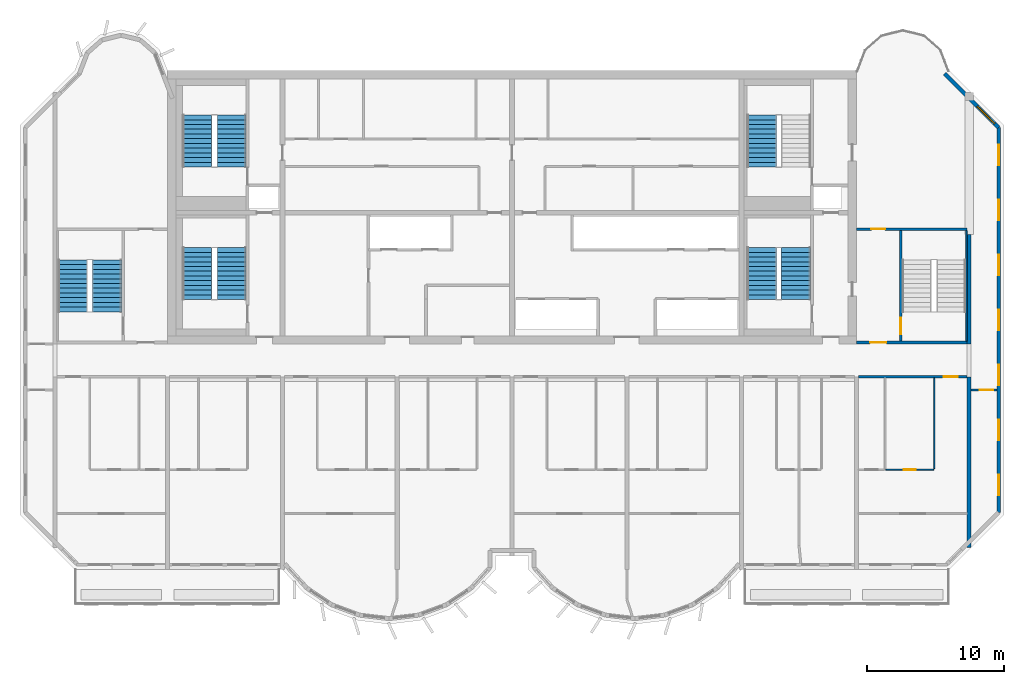
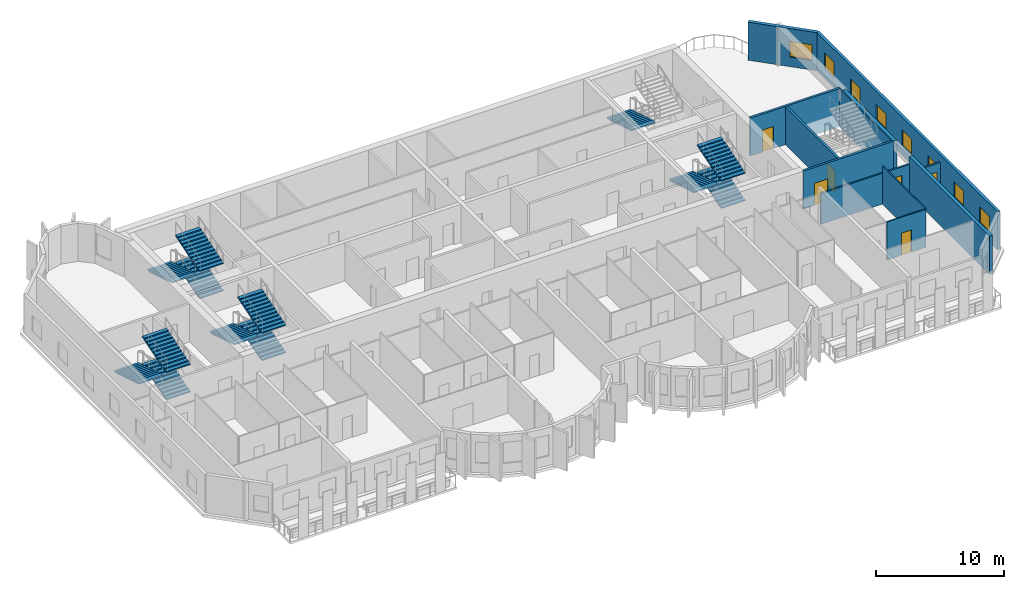
# One storey, part 8 of 12: 13 stair flights, 12 walls, 8 windows, 6 doors, 14 openings, 5 elements without a shape of their own.
"""IFC4 building model written with IfcOpenShell, lengths in metres."""

from ifc_helpers import new_model, si_unit, direction, frame, frame_2d, origin, place, context, subcontext, project, spatial, polyline, rectangle, outline, extrude, source, transform, mapped, material, layer, layer_set, type_object, element, fill, aggregate, save


model = new_model("IFC4")

# Units and contexts
model_context = context("Model", 3, precision=1e-05, world=origin(), true_north=direction((0.0, 1.0)))
body_context = subcontext(model_context, "Body", "Model", "MODEL_VIEW")
ifc_project = project(units=[si_unit("LENGTHUNIT", "METRE"), si_unit("AREAUNIT", "SQUARE_METRE"), si_unit("VOLUMEUNIT", "CUBIC_METRE"), si_unit("PLANEANGLEUNIT", "RADIAN"), si_unit("MASSUNIT", "GRAM", prefix="KILO")], contexts=[model_context])

# Site, building, storey
site_placement = place(None, origin())
site = spatial("IfcSite", under=ifc_project, at=site_placement, CompositionType="ELEMENT")
building_placement = place(site_placement, origin())
building = spatial("IfcBuilding", under=site, at=building_placement, Name="Vanashikhar Sky Hotel", CompositionType="ELEMENT")
storey_placement = place(building_placement, frame((0.0, 0.0, 253.0)))
storey = spatial("IfcBuildingStorey", under=building, at=storey_placement, Name="L61", CompositionType="ELEMENT", Elevation=253.0)

# Walls
ifc_material_1 = material(Name="Concrete M60", Category="concrete")
ifc_layer_1 = layer(ifc_material_1, 0.300048828125)
ifc_layer_set_1 = layer_set([ifc_layer_1], Name="RC shear wall 300 Concrete M60")
wall_type_1 = type_object("IfcWallType", Name="RC shear wall 300 Concrete M60", PredefinedType="SHEAR", material=ifc_layer_set_1)
shared_shape_1 = source(origin(), body_context, "Body", "SweptSolid", [
    extrude(rectangle(XDim=12.5, YDim=0.300048828125, at=frame_2d((6.25, 0.0))), origin(), (0.0, 0.0, 1.0), 3.6201171875),
])
wall_1_placement = place(storey_placement, frame((83.85009765625, 7.10009765625, 0.0), z_axis=(0.0, 0.0, 1.0), x_axis=(0.0, 1.0, 0.0)))
element("IfcWall", 1, at=wall_1_placement, inside=storey, type_object=wall_type_1, Name="CW-L61-XW11-1", PredefinedType="SHEAR", context=body_context, shape_type="MappedRepresentation", body=[
    mapped(shared_shape_1, transform((0.0, 0.0, 0.0), scale=1.0)),
])
shared_shape_2 = source(origin(), body_context, "Body", "SweptSolid", [
    extrude(rectangle(XDim=8.0, YDim=0.300048828125, at=frame_2d((4.0, 0.0))), origin(), (0.0, 0.0, 1.0), 3.6201171875),
])
wall_2_placement = place(storey_placement, frame((83.85009765625, 22.0, 0.0), z_axis=(0.0, 0.0, 1.0), x_axis=(0.0, 1.0, 0.0)))
element("IfcWall", 2, at=wall_2_placement, inside=storey, type_object=wall_type_1, Name="CW-L61-XW11-2", PredefinedType="SHEAR", context=body_context, shape_type="MappedRepresentation", body=[
    mapped(shared_shape_2, transform((0.0, 0.0, 0.0), scale=1.0)),
])

# Wall, opening, window
ifc_material_2 = material(Name="Concrete M50", Category="concrete")
ifc_layer_2 = layer(ifc_material_2, 0.300048828125)
ifc_layer_set_2 = layer_set([ifc_layer_2], Name="Lobe wall 300")
wall_type_2 = type_object("IfcWallType", Name="Lobe wall 300", PredefinedType="SOLIDWALL", material=ifc_layer_set_2)
shared_shape_3 = source(origin(), body_context, "Body", "SweptSolid", [
    extrude(rectangle(XDim=5.576416015625, YDim=0.300048828125, at=frame_2d((2.7880859375, 0.0))), origin(), (0.0, 0.0, 1.0), 3.6201171875),
])
wall_3_placement = place(storey_placement, frame((86.0, 37.834228515625, 0.0), z_axis=(0.0, 0.0, 1.0), x_axis=(-0.707106781187, 0.707106781187, 0.0)))
wall_3 = element("IfcWall", 3, at=wall_3_placement, inside=storey, type_object=wall_type_2, Name="Corner wall", PredefinedType="SOLIDWALL", context=body_context, shape_type="MappedRepresentation", body=[
    mapped(shared_shape_3, transform((0.0, 0.0, 0.0), scale=1.0)),
])
shared_shape_4 = source(origin(), body_context, "Body", "SweptSolid", [
    extrude(rectangle(XDim=1.800048828125, YDim=1.5, at=frame_2d((0.89990234375, 0.75))), frame((0.0, 0.16015625, 0.0), z_axis=(0.0, -1.0, 0.0), x_axis=(1.0, 0.0, 0.0)), (0.0, 0.0, 1.0), 0.320068359375),
])
opening_1_placement = place(wall_3_placement, frame((0.399169921875, 0.0, 0.89990234375)))
opening_1 = element("IfcOpeningElement", 4, at=opening_1_placement, cuts=wall_3, Name="Opening WN-4", PredefinedType="OPENING", context=body_context, shape_type="MappedRepresentation", body=[
    mapped(shared_shape_4, transform((0.0, 0.0, 0.0), scale=1.0)),
])
ifc_material_3 = material(Name="Glass", Category="glass")
window_type_1 = type_object("IfcWindowType", Name="Corner window 1800 x 1500", PartitioningType="SINGLE_PANEL", PredefinedType="WINDOW", material=ifc_material_3)
shared_shape_5 = source(origin(), body_context, "Body", "SweptSolid", [
    extrude(rectangle(XDim=1.800048828125, YDim=1.5, at=frame_2d((0.89990234375, 0.75))), frame((0.0, 0.030029296875, 0.0), z_axis=(0.0, -1.0, 0.0), x_axis=(1.0, 0.0, 0.0)), (0.0, 0.0, 1.0), 0.06005859375),
])
window_1_placement = place(opening_1_placement, origin())
window_1 = element("IfcWindow", 5, at=window_1_placement, inside=storey, type_object=window_type_1, Name="Window WN-4", OverallHeight=1.5, OverallWidth=1.800048828125, PartitioningType="SINGLE_PANEL", PredefinedType="WINDOW", context=body_context, shape_type="MappedRepresentation", body=[
    mapped(shared_shape_5, transform((0.0, 0.0, 0.0), scale=1.0)),
])
fill(opening_1, window_1)

# Wall, openings, windows
ifc_layer_3 = layer(ifc_material_2, 0.25)
ifc_layer_set_3 = layer_set([ifc_layer_3], Name="Rear and end board-marked wall 250")
wall_type_3 = type_object("IfcWallType", Name="Rear and end board-marked wall 250", PredefinedType="SOLIDWALL", material=ifc_layer_set_3)
shared_shape_6 = source(origin(), body_context, "Body", "SweptSolid", [
    extrude(rectangle(XDim=28.189453125, YDim=0.25, at=frame_2d((14.0947265625, 0.0))), origin(), (0.0, 0.0, 1.0), 3.6201171875),
])
wall_4_placement = place(storey_placement, frame((86.02490234375, 9.6552734375, 0.0), z_axis=(0.0, 0.0, 1.0), x_axis=(0.0, 1.0, 0.0)))
wall_4 = element("IfcWall", 6, at=wall_4_placement, inside=storey, type_object=wall_type_3, Name="End board-marked wall", PredefinedType="SOLIDWALL", context=body_context, shape_type="MappedRepresentation", body=[
    mapped(shared_shape_6, transform((0.0, 0.0, 0.0), scale=1.0)),
])
shared_shape_7 = source(origin(), body_context, "Body", "SweptSolid", [
    extrude(rectangle(XDim=1.5, YDim=1.5, at=frame_2d((0.75, 0.75))), frame((0.0, 0.135009765625, 0.0), z_axis=(0.0, -1.0, 0.0), x_axis=(1.0, 0.0, 0.0)), (0.0, 0.0, 1.0), 0.27001953125),
])
opening_2_placement = place(wall_4_placement, frame((1.263427734375, 0.0, 0.89990234375)))
opening_2 = element("IfcOpeningElement", 7, at=opening_2_placement, cuts=wall_4, Name="Opening WN-1", PredefinedType="OPENING", context=body_context, shape_type="MappedRepresentation", body=[
    mapped(shared_shape_7, transform((0.0, 0.0, 0.0), scale=1.0)),
])
opening_3_placement = place(wall_4_placement, frame((5.29052734375, 0.0, 0.89990234375)))
opening_3 = element("IfcOpeningElement", 8, at=opening_3_placement, cuts=wall_4, Name="Opening WN-1", PredefinedType="OPENING", context=body_context, shape_type="MappedRepresentation", body=[
    mapped(shared_shape_7, transform((0.0, 0.0, 0.0), scale=1.0)),
])
opening_4_placement = place(wall_4_placement, frame((9.317626953125, 0.0, 0.89990234375)))
opening_4 = element("IfcOpeningElement", 9, at=opening_4_placement, cuts=wall_4, Name="Opening WN-1", PredefinedType="OPENING", context=body_context, shape_type="MappedRepresentation", body=[
    mapped(shared_shape_7, transform((0.0, 0.0, 0.0), scale=1.0)),
])
opening_5_placement = place(wall_4_placement, frame((13.3447265625, 0.0, 0.89990234375)))
opening_5 = element("IfcOpeningElement", 10, at=opening_5_placement, cuts=wall_4, Name="Opening WN-1", PredefinedType="OPENING", context=body_context, shape_type="MappedRepresentation", body=[
    mapped(shared_shape_7, transform((0.0, 0.0, 0.0), scale=1.0)),
])
opening_6_placement = place(wall_4_placement, frame((17.371826171875, 0.0, 0.89990234375)))
opening_6 = element("IfcOpeningElement", 11, at=opening_6_placement, cuts=wall_4, Name="Opening WN-1", PredefinedType="OPENING", context=body_context, shape_type="MappedRepresentation", body=[
    mapped(shared_shape_7, transform((0.0, 0.0, 0.0), scale=1.0)),
])
opening_7_placement = place(wall_4_placement, frame((21.398681640625, 0.0, 0.89990234375)))
opening_7 = element("IfcOpeningElement", 12, at=opening_7_placement, cuts=wall_4, Name="Opening WN-1", PredefinedType="OPENING", context=body_context, shape_type="MappedRepresentation", body=[
    mapped(shared_shape_7, transform((0.0, 0.0, 0.0), scale=1.0)),
])
opening_8_placement = place(wall_4_placement, frame((25.42578125, 0.0, 0.89990234375)))
opening_8 = element("IfcOpeningElement", 13, at=opening_8_placement, cuts=wall_4, Name="Opening WN-1", PredefinedType="OPENING", context=body_context, shape_type="MappedRepresentation", body=[
    mapped(shared_shape_7, transform((0.0, 0.0, 0.0), scale=1.0)),
])
window_type_2 = type_object("IfcWindowType", Name="Window 1500 x 1500", PartitioningType="SINGLE_PANEL", PredefinedType="WINDOW", material=ifc_material_3)
shared_shape_8 = source(origin(), body_context, "Body", "SweptSolid", [
    extrude(rectangle(XDim=1.5, YDim=1.5, at=frame_2d((0.75, 0.75))), frame((0.0, 0.030029296875, 0.0), z_axis=(0.0, -1.0, 0.0), x_axis=(1.0, 0.0, 0.0)), (0.0, 0.0, 1.0), 0.06005859375),
])
window_2_placement = place(opening_2_placement, origin())
window_2 = element("IfcWindow", 14, at=window_2_placement, inside=storey, type_object=window_type_2, Name="Window WN-1", OverallHeight=1.5, OverallWidth=1.5, PartitioningType="SINGLE_PANEL", PredefinedType="WINDOW", context=body_context, shape_type="MappedRepresentation", body=[
    mapped(shared_shape_8, transform((0.0, 0.0, 0.0), scale=1.0)),
])
fill(opening_2, window_2)
window_3_placement = place(opening_3_placement, origin())
window_3 = element("IfcWindow", 15, at=window_3_placement, inside=storey, type_object=window_type_2, Name="Window WN-1", OverallHeight=1.5, OverallWidth=1.5, PartitioningType="SINGLE_PANEL", PredefinedType="WINDOW", context=body_context, shape_type="MappedRepresentation", body=[
    mapped(shared_shape_8, transform((0.0, 0.0, 0.0), scale=1.0)),
])
fill(opening_3, window_3)
window_4_placement = place(opening_4_placement, origin())
window_4 = element("IfcWindow", 16, at=window_4_placement, inside=storey, type_object=window_type_2, Name="Window WN-1", OverallHeight=1.5, OverallWidth=1.5, PartitioningType="SINGLE_PANEL", PredefinedType="WINDOW", context=body_context, shape_type="MappedRepresentation", body=[
    mapped(shared_shape_8, transform((0.0, 0.0, 0.0), scale=1.0)),
])
fill(opening_4, window_4)
window_5_placement = place(opening_5_placement, origin())
window_5 = element("IfcWindow", 17, at=window_5_placement, inside=storey, type_object=window_type_2, Name="Window WN-1", OverallHeight=1.5, OverallWidth=1.5, PartitioningType="SINGLE_PANEL", PredefinedType="WINDOW", context=body_context, shape_type="MappedRepresentation", body=[
    mapped(shared_shape_8, transform((0.0, 0.0, 0.0), scale=1.0)),
])
fill(opening_5, window_5)
window_6_placement = place(opening_6_placement, origin())
window_6 = element("IfcWindow", 18, at=window_6_placement, inside=storey, type_object=window_type_2, Name="Window WN-1", OverallHeight=1.5, OverallWidth=1.5, PartitioningType="SINGLE_PANEL", PredefinedType="WINDOW", context=body_context, shape_type="MappedRepresentation", body=[
    mapped(shared_shape_8, transform((0.0, 0.0, 0.0), scale=1.0)),
])
fill(opening_6, window_6)
window_7_placement = place(opening_7_placement, origin())
window_7 = element("IfcWindow", 19, at=window_7_placement, inside=storey, type_object=window_type_2, Name="Window WN-1", OverallHeight=1.5, OverallWidth=1.5, PartitioningType="SINGLE_PANEL", PredefinedType="WINDOW", context=body_context, shape_type="MappedRepresentation", body=[
    mapped(shared_shape_8, transform((0.0, 0.0, 0.0), scale=1.0)),
])
fill(opening_7, window_7)
window_8_placement = place(opening_8_placement, origin())
window_8 = element("IfcWindow", 20, at=window_8_placement, inside=storey, type_object=window_type_2, Name="Window WN-1", OverallHeight=1.5, OverallWidth=1.5, PartitioningType="SINGLE_PANEL", PredefinedType="WINDOW", context=body_context, shape_type="MappedRepresentation", body=[
    mapped(shared_shape_8, transform((0.0, 0.0, 0.0), scale=1.0)),
])
fill(opening_8, window_8)

# Wall, opening, door
ifc_layer_4 = layer(ifc_material_2, 0.199951171875)
ifc_layer_set_4 = layer_set([ifc_layer_4], Name="Stair wall 200")
wall_type_4 = type_object("IfcWallType", Name="Stair wall 200", PredefinedType="SOLIDWALL", material=ifc_layer_set_4)
shared_shape_9 = source(origin(), body_context, "Body", "SweptSolid", [
    extrude(rectangle(XDim=8.2998046875, YDim=0.199951171875, at=frame_2d((4.14990234375, 0.0))), origin(), (0.0, 0.0, 1.0), 3.6201171875),
])
wall_5_placement = place(storey_placement, frame((78.85009765625, 22.10009765625, 0.0), z_axis=(0.0, 0.0, 1.0), x_axis=(0.0, 1.0, 0.0)))
wall_5 = element("IfcWall", 21, at=wall_5_placement, inside=storey, type_object=wall_type_4, Name="Stair wall 200", PredefinedType="SOLIDWALL", context=body_context, shape_type="MappedRepresentation", body=[
    mapped(shared_shape_9, transform((0.0, 0.0, 0.0), scale=1.0)),
])
shared_shape_10 = source(origin(), body_context, "Body", "SweptSolid", [
    extrude(rectangle(XDim=1.199951171875, YDim=2.10009765625, at=frame_2d((0.60009765625, 1.050048828125))), frame((0.0, 0.10986328125, 0.0), z_axis=(0.0, -1.0, 0.0), x_axis=(1.0, 0.0, 0.0)), (0.0, 0.0, 1.0), 0.219970703125),
])
opening_9_placement = place(wall_5_placement, frame((0.60009765625, 0.0, 0.0)))
opening_9 = element("IfcOpeningElement", 22, at=opening_9_placement, cuts=wall_5, Name="Opening DC-1", PredefinedType="OPENING", context=body_context, shape_type="MappedRepresentation", body=[
    mapped(shared_shape_10, transform((0.0, 0.0, 0.0), scale=1.0)),
])
ifc_material_4 = material(Name="Steel", Category="steel")
door_type_1 = type_object("IfcDoorType", Name="Stair door 1200 FD120", OperationType="NOTDEFINED", PredefinedType="DOOR", material=ifc_material_4)
shared_shape_11 = source(origin(), body_context, "Body", "SweptSolid", [
    extrude(rectangle(XDim=1.199951171875, YDim=2.10009765625, at=frame_2d((0.60009765625, 1.050048828125))), frame((0.0, 0.02490234375, 0.0), z_axis=(0.0, -1.0, 0.0), x_axis=(1.0, 0.0, 0.0)), (0.0, 0.0, 1.0), 0.050048828125),
])
door_1_placement = place(opening_9_placement, origin())
door_1 = element("IfcDoor", 23, at=door_1_placement, inside=storey, type_object=door_type_1, Name="Stair door 1200 FD120", OperationType="SINGLE_SWING_RIGHT", OverallHeight=2.10009765625, OverallWidth=1.199951171875, PredefinedType="DOOR", context=body_context, shape_type="MappedRepresentation", body=[
    mapped(shared_shape_11, transform((0.0, 0.0, 0.0), scale=1.0)),
])
fill(opening_9, door_1)

shared_shape_12 = source(origin(), body_context, "Body", "SweptSolid", [
    extrude(rectangle(XDim=8.099853515625, YDim=0.199951171875, at=frame_2d((4.0498046875, 0.0))), origin(), (0.0, 0.0, 1.0), 3.6201171875),
])
wall_6_placement = place(storey_placement, frame((83.699951171875, 22.10009765625, 0.0), z_axis=(0.0, 0.0, 1.0), x_axis=(-1.0, 0.0, 0.0)))
wall_6 = element("IfcWall", 24, at=wall_6_placement, inside=storey, type_object=wall_type_4, Name="Stair wall 200", PredefinedType="SOLIDWALL", context=body_context, shape_type="MappedRepresentation", body=[
    mapped(shared_shape_12, transform((0.0, 0.0, 0.0), scale=1.0)),
])
opening_10_placement = place(wall_6_placement, frame((5.89990234375, 0.0, 0.0)))
opening_10 = element("IfcOpeningElement", 25, at=opening_10_placement, cuts=wall_6, Name="Opening DC-2", PredefinedType="OPENING", context=body_context, shape_type="MappedRepresentation", body=[
    mapped(shared_shape_10, transform((0.0, 0.0, 0.0), scale=1.0)),
])
door_type_2 = type_object("IfcDoorType", Name="Firefighting lobby door 1200 FD120", OperationType="NOTDEFINED", PredefinedType="DOOR", material=ifc_material_4)
door_2_placement = place(opening_10_placement, origin())
door_2 = element("IfcDoor", 26, at=door_2_placement, inside=storey, type_object=door_type_2, Name="Firefighting lobby door 1200 FD120", OperationType="SINGLE_SWING_LEFT", OverallHeight=2.10009765625, OverallWidth=1.199951171875, PredefinedType="DOOR", context=body_context, shape_type="MappedRepresentation", body=[
    mapped(shared_shape_11, transform((0.0, 0.0, 0.0), scale=1.0)),
])
fill(opening_10, door_2)

wall_7_placement = place(storey_placement, frame((83.699951171875, 30.39990234375, 0.0), z_axis=(0.0, 0.0, 1.0), x_axis=(-1.0, 0.0, 0.0)))
wall_7 = element("IfcWall", 27, at=wall_7_placement, inside=storey, type_object=wall_type_4, Name="Stair wall 200", PredefinedType="SOLIDWALL", context=body_context, shape_type="MappedRepresentation", body=[
    mapped(shared_shape_12, transform((0.0, 0.0, 0.0), scale=1.0)),
])
shared_shape_13 = source(origin(), body_context, "Body", "SweptSolid", [
    extrude(rectangle(XDim=1.0, YDim=2.10009765625, at=frame_2d((0.5, 1.050048828125))), frame((0.0, 0.10986328125, 0.0), z_axis=(0.0, -1.0, 0.0), x_axis=(1.0, 0.0, 0.0)), (0.0, 0.0, 1.0), 0.219970703125),
])
opening_11_placement = place(wall_7_placement, frame((6.0, 0.0, 0.0)))
opening_11 = element("IfcOpeningElement", 28, at=opening_11_placement, cuts=wall_7, Name="Opening DC-6", PredefinedType="OPENING", context=body_context, shape_type="MappedRepresentation", body=[
    mapped(shared_shape_13, transform((0.0, 0.0, 0.0), scale=1.0)),
])
door_type_3 = type_object("IfcDoorType", Name="Pocket door 1000 FD60", OperationType="NOTDEFINED", PredefinedType="DOOR", material=ifc_material_4)
shared_shape_14 = source(origin(), body_context, "Body", "SweptSolid", [
    extrude(rectangle(XDim=1.0, YDim=2.10009765625, at=frame_2d((0.5, 1.050048828125))), frame((0.0, 0.02490234375, 0.0), z_axis=(0.0, -1.0, 0.0), x_axis=(1.0, 0.0, 0.0)), (0.0, 0.0, 1.0), 0.050048828125),
])
door_3_placement = place(opening_11_placement, origin())
door_3 = element("IfcDoor", 29, at=door_3_placement, inside=storey, type_object=door_type_3, Name="Pocket door 1000 FD60", OperationType="SINGLE_SWING_LEFT", OverallHeight=2.10009765625, OverallWidth=1.0, PredefinedType="DOOR", context=body_context, shape_type="MappedRepresentation", body=[
    mapped(shared_shape_14, transform((0.0, 0.0, 0.0), scale=1.0)),
])
fill(opening_11, door_3)

# Wall
ifc_layer_5 = layer(ifc_material_2, 0.10009765625)
ifc_layer_set_5 = layer_set([ifc_layer_5], Name="Stair infill wall 100")
wall_type_5 = type_object("IfcWallType", Name="Stair infill wall 100", PredefinedType="SOLIDWALL", material=ifc_layer_set_5)
shared_shape_15 = source(origin(), body_context, "Body", "SweptSolid", [
    extrude(rectangle(XDim=8.10009765625, YDim=0.10009765625, at=frame_2d((4.050048828125, 0.0))), origin(), (0.0, 0.0, 1.0), 3.6201171875),
])
wall_8_placement = place(storey_placement, frame((83.64990234375, 22.199951171875, 0.0), z_axis=(0.0, 0.0, 1.0), x_axis=(0.0, 1.0, 0.0)))
element("IfcWall", 30, at=wall_8_placement, inside=storey, type_object=wall_type_5, Name="Stair infill wall 100", PredefinedType="SOLIDWALL", context=body_context, shape_type="MappedRepresentation", body=[
    mapped(shared_shape_15, transform((0.0, 0.0, 0.0), scale=1.0)),
])

# Wall, opening, door
ifc_material_5 = material(Name="Gypsum plasterboard partition")
ifc_layer_6 = layer(ifc_material_5, 0.10009765625)
ifc_layer_set_6 = layer_set([ifc_layer_6], Name="Wet room partition 100")
wall_type_6 = type_object("IfcWallType", Name="Wet room partition 100", PredefinedType="PARTITIONING", material=ifc_layer_set_6)
shared_shape_16 = source(origin(), body_context, "Body", "SweptSolid", [
    extrude(rectangle(XDim=3.5, YDim=0.10009765625, at=frame_2d((1.75, 0.0))), origin(), (0.0, 0.0, 1.0), 3.6201171875),
])
wall_9_placement = place(storey_placement, frame((77.75, 12.800048828125, 0.0), z_axis=(0.0, 0.0, 1.0), x_axis=(1.0, 0.0, 0.0)))
wall_9 = element("IfcWall", 31, at=wall_9_placement, inside=storey, type_object=wall_type_6, Name="W-L61-PW044", PredefinedType="PARTITIONING", context=body_context, shape_type="MappedRepresentation", body=[
    mapped(shared_shape_16, transform((0.0, 0.0, 0.0), scale=1.0)),
])
shared_shape_17 = source(origin(), body_context, "Body", "SweptSolid", [
    extrude(rectangle(XDim=0.89990234375, YDim=2.10009765625, at=frame_2d((0.449951171875, 1.050048828125))), frame((0.0, 0.06005859375, 0.0), z_axis=(0.0, -1.0, 0.0), x_axis=(1.0, 0.0, 0.0)), (0.0, 0.0, 1.0), 0.1201171875),
])
opening_12_placement = place(wall_9_placement, frame((1.300048828125, 0.0, 0.0)))
opening_12 = element("IfcOpeningElement", 32, at=opening_12_placement, cuts=wall_9, Name="Opening D-02", PredefinedType="OPENING", context=body_context, shape_type="MappedRepresentation", body=[
    mapped(shared_shape_17, transform((0.0, 0.0, 0.0), scale=1.0)),
])
ifc_material_6 = material(Name="Timber door", Category="wood")
door_type_4 = type_object("IfcDoorType", Name="Internal door 900", OperationType="NOTDEFINED", PredefinedType="DOOR", material=ifc_material_6)
shared_shape_18 = source(origin(), body_context, "Body", "SweptSolid", [
    extrude(rectangle(XDim=0.89990234375, YDim=2.10009765625, at=frame_2d((0.449951171875, 1.050048828125))), frame((0.0, 0.02490234375, 0.0), z_axis=(0.0, -1.0, 0.0), x_axis=(1.0, 0.0, 0.0)), (0.0, 0.0, 1.0), 0.050048828125),
])
door_4_placement = place(opening_12_placement, origin())
door_4 = element("IfcDoor", 33, at=door_4_placement, inside=storey, type_object=door_type_4, Name="D-L61-027", OperationType="SINGLE_SWING_RIGHT", OverallHeight=2.10009765625, OverallWidth=0.89990234375, PredefinedType="DOOR", context=body_context, shape_type="MappedRepresentation", body=[
    mapped(shared_shape_18, transform((0.0, 0.0, 0.0), scale=1.0)),
])
fill(opening_12, door_4)

ifc_layer_7 = layer(ifc_material_5, 0.14990234375)
ifc_layer_set_7 = layer_set([ifc_layer_7], Name="Corridor and demising partition 150")
wall_type_7 = type_object("IfcWallType", Name="Corridor and demising partition 150", PredefinedType="PARTITIONING", material=ifc_layer_set_7)
shared_shape_19 = source(origin(), body_context, "Body", "SweptSolid", [
    extrude(rectangle(XDim=7.949951171875, YDim=0.14990234375, at=frame_2d((3.97509765625, 0.0))), origin(), (0.0, 0.0, 1.0), 2.919921875),
])
wall_10_placement = place(storey_placement, frame((75.75, 19.60009765625, 0.0), z_axis=(0.0, 0.0, 1.0), x_axis=(1.0, 0.0, 0.0)))
wall_10 = element("IfcWall", 34, at=wall_10_placement, inside=storey, type_object=wall_type_7, Name="W-L61-PW047", PredefinedType="PARTITIONING", context=body_context, shape_type="MappedRepresentation", body=[
    mapped(shared_shape_19, transform((0.0, 0.0, 0.0), scale=1.0)),
])
shared_shape_20 = source(origin(), body_context, "Body", "SweptSolid", [
    extrude(rectangle(XDim=1.0, YDim=2.10009765625, at=frame_2d((0.5, 1.050048828125))), frame((0.0, 0.0849609375, 0.0), z_axis=(0.0, -1.0, 0.0), x_axis=(1.0, 0.0, 0.0)), (0.0, 0.0, 1.0), 0.169921875),
])
opening_13_placement = place(wall_10_placement, frame((6.25, 0.0, 0.0)))
opening_13 = element("IfcOpeningElement", 35, at=opening_13_placement, cuts=wall_10, Name="Opening D-01", PredefinedType="OPENING", context=body_context, shape_type="MappedRepresentation", body=[
    mapped(shared_shape_20, transform((0.0, 0.0, 0.0), scale=1.0)),
])
ifc_material_7 = material(Name="Timber fire door", Category="wood")
door_type_5 = type_object("IfcDoorType", Name="Guest entry door 1000 FD30S", OperationType="NOTDEFINED", PredefinedType="DOOR", material=ifc_material_7)
door_5_placement = place(opening_13_placement, origin())
door_5 = element("IfcDoor", 36, at=door_5_placement, inside=storey, type_object=door_type_5, Name="D-L61-030", OperationType="SINGLE_SWING_RIGHT", OverallHeight=2.10009765625, OverallWidth=1.0, PredefinedType="DOOR", context=body_context, shape_type="MappedRepresentation", body=[
    mapped(shared_shape_14, transform((0.0, 0.0, 0.0), scale=1.0)),
])
fill(opening_13, door_5)

shared_shape_21 = source(origin(), body_context, "Body", "SweptSolid", [
    extrude(rectangle(XDim=1.89990234375, YDim=0.14990234375, at=frame_2d((0.949951171875, 0.0))), origin(), (0.0, 0.0, 1.0), 2.919921875),
])
wall_11_placement = place(storey_placement, frame((84.0, 18.6279296875, 0.0), z_axis=(0.0, 0.0, 1.0), x_axis=(1.0, 0.0, 0.0)))
wall_11 = element("IfcWall", 37, at=wall_11_placement, inside=storey, type_object=wall_type_7, Name="W-L61-PW052", PredefinedType="PARTITIONING", context=body_context, shape_type="MappedRepresentation", body=[
    mapped(shared_shape_21, transform((0.0, 0.0, 0.0), scale=1.0)),
])
opening_14_placement = place(wall_11_placement, frame((0.625, 0.0, 0.0)))
opening_14 = element("IfcOpeningElement", 38, at=opening_14_placement, cuts=wall_11, Name="Opening D-01", PredefinedType="OPENING", context=body_context, shape_type="MappedRepresentation", body=[
    mapped(shared_shape_20, transform((0.0, 0.0, 0.0), scale=1.0)),
])
door_6_placement = place(opening_14_placement, origin())
door_6 = element("IfcDoor", 39, at=door_6_placement, inside=storey, type_object=door_type_5, Name="D-L61-033", OperationType="SINGLE_SWING_RIGHT", OverallHeight=2.10009765625, OverallWidth=1.0, PredefinedType="DOOR", context=body_context, shape_type="MappedRepresentation", body=[
    mapped(shared_shape_14, transform((0.0, 0.0, 0.0), scale=1.0)),
])
fill(opening_14, door_6)

# Wall
shared_shape_22 = source(origin(), body_context, "Body", "SweptSolid", [
    extrude(rectangle(XDim=6.64990234375, YDim=0.10009765625, at=frame_2d((3.324951171875, 0.0))), origin(), (0.0, 0.0, 1.0), 3.6201171875),
])
wall_12_placement = place(storey_placement, frame((81.300048828125, 12.875, 0.0), z_axis=(0.0, 0.0, 1.0), x_axis=(0.0, 1.0, 0.0)))
element("IfcWall", 40, at=wall_12_placement, inside=storey, type_object=wall_type_6, Name="W-L61-PW042", PredefinedType="PARTITIONING", context=body_context, shape_type="MappedRepresentation", body=[
    mapped(shared_shape_22, transform((0.0, 0.0, 0.0), scale=1.0)),
])

# Stair, stair flights
ifc_material_8 = material(Name="Concrete M40", Category="concrete")
stair_type = type_object("IfcStairType", Name="Exit stair 2150", PredefinedType="DOUBLE_RETURN_STAIR", material=ifc_material_8)
stair_1_placement = place(storey_placement, origin())
stair_1 = element("IfcStair", 41, at=stair_1_placement, inside=storey, type_object=stair_type, Name="L61 Exit stair 1", PredefinedType="DOUBLE_RETURN_STAIR")
stair_flight_type = type_object("IfcStairFlightType", Name="Stair flight 2150", PredefinedType="STRAIGHT", material=ifc_material_8)
shared_shape_23 = source(origin(), body_context, "Body", "SweptSolid", [
    extrude(outline(polyline([(0.0, 0.0), (0.0, 0.1083984375), (0.345458984375, 0.1083984375), (0.345458984375, 0.216552734375), (0.69091796875, 0.216552734375), (0.69091796875, 0.324951171875), (1.036376953125, 0.324951171875), (1.036376953125, 0.433349609375), (1.3818359375, 0.433349609375), (1.3818359375, 0.541748046875), (1.727294921875, 0.541748046875), (1.727294921875, 0.64990234375), (2.07275390625, 0.64990234375), (2.07275390625, 0.75830078125), (2.418212890625, 0.75830078125), (2.418212890625, 0.86669921875), (2.763671875, 0.86669921875), (2.763671875, 0.97509765625), (3.109130859375, 0.97509765625), (3.109130859375, 1.083251953125), (3.45458984375, 1.083251953125), (3.45458984375, 1.191650390625), (3.800048828125, 1.191650390625), (3.800048828125, 1.300048828125), (3.800048828125, 1.065673828125), (0.4013671875, 0.0), (0.0, 0.0)])), frame((0.0, 1.074951171875, 0.0), z_axis=(0.0, -1.0, 0.0), x_axis=(1.0, 0.0, 0.0)), (0.0, 0.0, 1.0), 2.14990234375),
])
stair_flight_1_placement = place(storey_placement, frame((29.875, 25.25, 0.0), z_axis=(0.0, 0.0, 1.0), x_axis=(0.0, 1.0, 0.0)))
stair_flight_1 = element("IfcStairFlight", 42, at=stair_flight_1_placement, type_object=stair_flight_type, Name="ST-C1 flight 1", NumberOfRisers=12, NumberOfTreads=11, PredefinedType="STRAIGHT", RiserHeight=0.108333333, TreadLength=0.345454545, context=body_context, shape_type="MappedRepresentation", body=[
    mapped(shared_shape_23, transform((0.0, 0.0, 0.0), scale=1.0)),
])
stair_flight_2_placement = place(storey_placement, frame((27.375, 29.050048828125, 1.300048828125), z_axis=(0.0, 0.0, 1.0), x_axis=(0.0, -1.0, 0.0)))
stair_flight_2 = element("IfcStairFlight", 43, at=stair_flight_2_placement, type_object=stair_flight_type, Name="ST-C1 flight 2", NumberOfRisers=12, NumberOfTreads=11, PredefinedType="STRAIGHT", RiserHeight=0.108333333, TreadLength=0.345454545, context=body_context, shape_type="MappedRepresentation", body=[
    mapped(shared_shape_23, transform((0.0, 0.0, 0.0), scale=1.0)),
])
stair_flight_3_placement = place(storey_placement, frame((29.875, 25.25, 2.60009765625), z_axis=(0.0, 0.0, 1.0), x_axis=(0.0, 1.0, 0.0)))
stair_flight_3 = element("IfcStairFlight", 44, at=stair_flight_3_placement, type_object=stair_flight_type, Name="ST-C1 flight 3", NumberOfRisers=12, NumberOfTreads=11, PredefinedType="STRAIGHT", RiserHeight=0.108333333, TreadLength=0.345454545, context=body_context, shape_type="MappedRepresentation", body=[
    mapped(shared_shape_23, transform((0.0, 0.0, 0.0), scale=1.0)),
])
aggregate(stair_1, [stair_flight_1, stair_flight_2, stair_flight_3])

stair_2_placement = place(storey_placement, origin())
stair_2 = element("IfcStair", 45, at=stair_2_placement, inside=storey, type_object=stair_type, Name="L61 Exit stair 2", PredefinedType="DOUBLE_RETURN_STAIR")
stair_flight_4_placement = place(storey_placement, frame((71.175048828125, 25.25, 0.0), z_axis=(0.0, 0.0, 1.0), x_axis=(0.0, 1.0, 0.0)))
stair_flight_4 = element("IfcStairFlight", 46, at=stair_flight_4_placement, type_object=stair_flight_type, Name="ST-C2 flight 1", NumberOfRisers=12, NumberOfTreads=11, PredefinedType="STRAIGHT", RiserHeight=0.108333333, TreadLength=0.345454545, context=body_context, shape_type="MappedRepresentation", body=[
    mapped(shared_shape_23, transform((0.0, 0.0, 0.0), scale=1.0)),
])
stair_flight_5_placement = place(storey_placement, frame((68.675048828125, 29.050048828125, 1.300048828125), z_axis=(0.0, 0.0, 1.0), x_axis=(0.0, -1.0, 0.0)))
stair_flight_5 = element("IfcStairFlight", 47, at=stair_flight_5_placement, type_object=stair_flight_type, Name="ST-C2 flight 2", NumberOfRisers=12, NumberOfTreads=11, PredefinedType="STRAIGHT", RiserHeight=0.108333333, TreadLength=0.345454545, context=body_context, shape_type="MappedRepresentation", body=[
    mapped(shared_shape_23, transform((0.0, 0.0, 0.0), scale=1.0)),
])
stair_flight_6_placement = place(storey_placement, frame((71.175048828125, 25.25, 2.60009765625), z_axis=(0.0, 0.0, 1.0), x_axis=(0.0, 1.0, 0.0)))
stair_flight_6 = element("IfcStairFlight", 48, at=stair_flight_6_placement, type_object=stair_flight_type, Name="ST-C2 flight 3", NumberOfRisers=12, NumberOfTreads=11, PredefinedType="STRAIGHT", RiserHeight=0.108333333, TreadLength=0.345454545, context=body_context, shape_type="MappedRepresentation", body=[
    mapped(shared_shape_23, transform((0.0, 0.0, 0.0), scale=1.0)),
])
aggregate(stair_2, [stair_flight_4, stair_flight_5, stair_flight_6])

stair_3_placement = place(storey_placement, origin())
stair_3 = element("IfcStair", 49, at=stair_3_placement, inside=storey, type_object=stair_type, Name="L61 Exit stair 3", PredefinedType="DOUBLE_RETURN_STAIR")
stair_flight_7_placement = place(storey_placement, frame((20.77490234375, 24.35009765625, 0.0), z_axis=(0.0, 0.0, 1.0), x_axis=(0.0, 1.0, 0.0)))
stair_flight_7 = element("IfcStairFlight", 50, at=stair_flight_7_placement, type_object=stair_flight_type, Name="ST-W flight 1", NumberOfRisers=12, NumberOfTreads=11, PredefinedType="STRAIGHT", RiserHeight=0.108333333, TreadLength=0.345454545, context=body_context, shape_type="MappedRepresentation", body=[
    mapped(shared_shape_23, transform((0.0, 0.0, 0.0), scale=1.0)),
])
stair_flight_8_placement = place(storey_placement, frame((18.27490234375, 28.14990234375, 1.300048828125), z_axis=(0.0, 0.0, 1.0), x_axis=(0.0, -1.0, 0.0)))
stair_flight_8 = element("IfcStairFlight", 51, at=stair_flight_8_placement, type_object=stair_flight_type, Name="ST-W flight 2", NumberOfRisers=12, NumberOfTreads=11, PredefinedType="STRAIGHT", RiserHeight=0.108333333, TreadLength=0.345454545, context=body_context, shape_type="MappedRepresentation", body=[
    mapped(shared_shape_23, transform((0.0, 0.0, 0.0), scale=1.0)),
])
stair_flight_9_placement = place(storey_placement, frame((20.77490234375, 24.35009765625, 2.60009765625), z_axis=(0.0, 0.0, 1.0), x_axis=(0.0, 1.0, 0.0)))
stair_flight_9 = element("IfcStairFlight", 52, at=stair_flight_9_placement, type_object=stair_flight_type, Name="ST-W flight 3", NumberOfRisers=12, NumberOfTreads=11, PredefinedType="STRAIGHT", RiserHeight=0.108333333, TreadLength=0.345454545, context=body_context, shape_type="MappedRepresentation", body=[
    mapped(shared_shape_23, transform((0.0, 0.0, 0.0), scale=1.0)),
])
aggregate(stair_3, [stair_flight_7, stair_flight_8, stair_flight_9])

stair_4_placement = place(storey_placement, origin())
stair_4 = element("IfcStair", 53, at=stair_4_placement, inside=storey, type_object=stair_type, Name="L61 Exit stair 5", PredefinedType="DOUBLE_RETURN_STAIR")
stair_flight_10_placement = place(storey_placement, frame((29.875, 34.949951171875, 0.0), z_axis=(0.0, 0.0, 1.0), x_axis=(0.0, 1.0, 0.0)))
stair_flight_10 = element("IfcStairFlight", 54, at=stair_flight_10_placement, type_object=stair_flight_type, Name="ST-C3 flight 1", NumberOfRisers=12, NumberOfTreads=11, PredefinedType="STRAIGHT", RiserHeight=0.108333333, TreadLength=0.345454545, context=body_context, shape_type="MappedRepresentation", body=[
    mapped(shared_shape_23, transform((0.0, 0.0, 0.0), scale=1.0)),
])
stair_flight_11_placement = place(storey_placement, frame((27.375, 38.75, 1.300048828125), z_axis=(0.0, 0.0, 1.0), x_axis=(0.0, -1.0, 0.0)))
stair_flight_11 = element("IfcStairFlight", 55, at=stair_flight_11_placement, type_object=stair_flight_type, Name="ST-C3 flight 2", NumberOfRisers=12, NumberOfTreads=11, PredefinedType="STRAIGHT", RiserHeight=0.108333333, TreadLength=0.345454545, context=body_context, shape_type="MappedRepresentation", body=[
    mapped(shared_shape_23, transform((0.0, 0.0, 0.0), scale=1.0)),
])
stair_flight_12_placement = place(storey_placement, frame((29.875, 34.949951171875, 2.60009765625), z_axis=(0.0, 0.0, 1.0), x_axis=(0.0, 1.0, 0.0)))
stair_flight_12 = element("IfcStairFlight", 56, at=stair_flight_12_placement, type_object=stair_flight_type, Name="ST-C3 flight 3", NumberOfRisers=12, NumberOfTreads=11, PredefinedType="STRAIGHT", RiserHeight=0.108333333, TreadLength=0.345454545, context=body_context, shape_type="MappedRepresentation", body=[
    mapped(shared_shape_23, transform((0.0, 0.0, 0.0), scale=1.0)),
])
aggregate(stair_4, [stair_flight_10, stair_flight_11, stair_flight_12])

# Stair, stair flight
stair_5_placement = place(storey_placement, origin())
stair_5 = element("IfcStair", 57, at=stair_5_placement, inside=storey, type_object=stair_type, Name="L61 Exit stair 6", PredefinedType="DOUBLE_RETURN_STAIR")
stair_flight_13_placement = place(storey_placement, frame((68.675048828125, 38.75, 1.300048828125), z_axis=(0.0, 0.0, 1.0), x_axis=(0.0, -1.0, 0.0)))
stair_flight_13 = element("IfcStairFlight", 58, at=stair_flight_13_placement, type_object=stair_flight_type, Name="ST-C4 flight 2", NumberOfRisers=12, NumberOfTreads=11, PredefinedType="STRAIGHT", RiserHeight=0.108333333, TreadLength=0.345454545, context=body_context, shape_type="MappedRepresentation", body=[
    mapped(shared_shape_23, transform((0.0, 0.0, 0.0), scale=1.0)),
])
aggregate(stair_5, [stair_flight_13])

save(model, "model.ifc")
